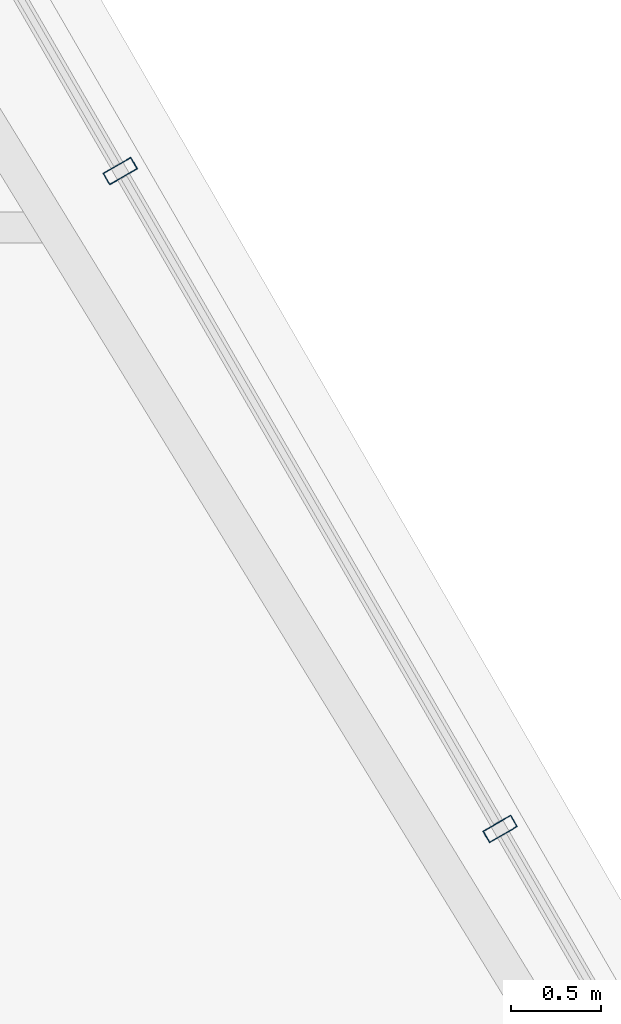
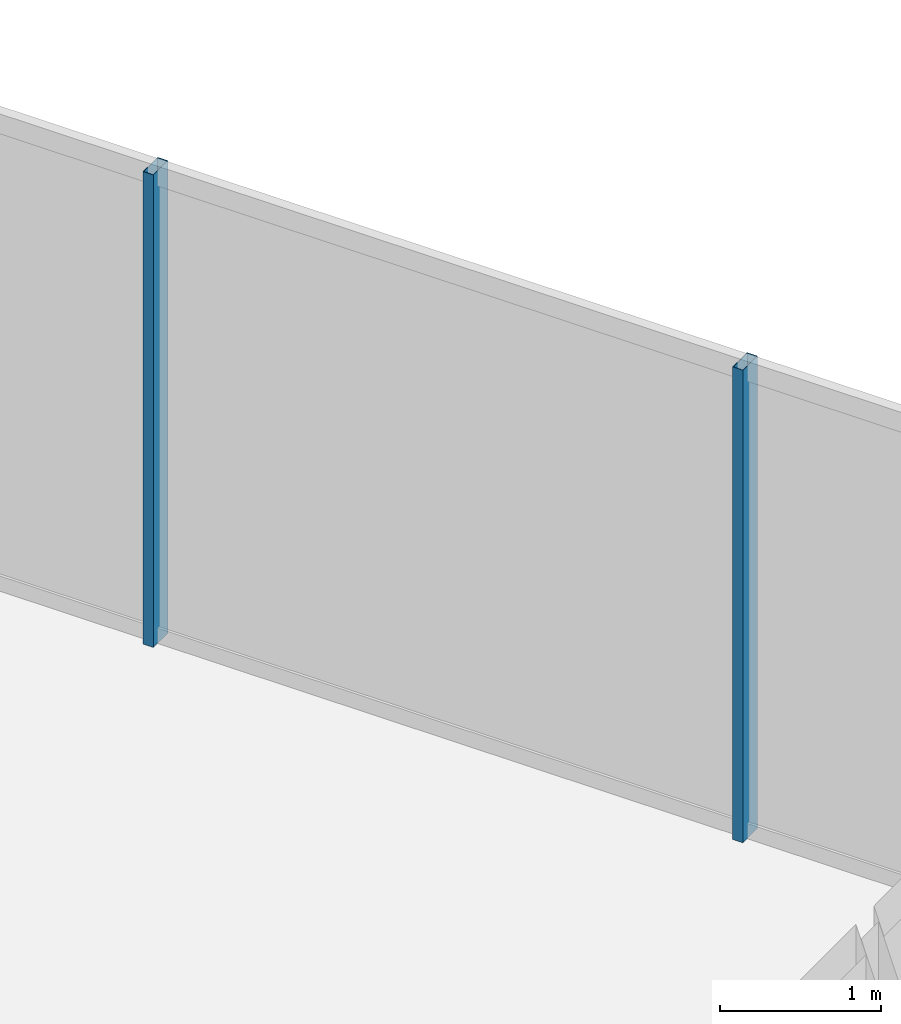
# One storey, part 19 of 33: 2 members, 1 element without a shape of its own.
"""IFC4 building model written with IfcOpenShell, lengths in metres."""

from ifc_helpers import new_model, si_unit, direction, frame, origin, origin_2d, place, context, subcontext, project, spatial, hollow_rectangle, extrude, material, layer, layer_set, material_profile, profile_set, type_object, element, aggregate, save


model = new_model("IFC4")

# Units and contexts
model_context = context("Model", 3, precision=1e-05, world=origin(), true_north=direction((0.0, 1.0)))
body_context = subcontext(model_context, "Body", "Model", "MODEL_VIEW")
ifc_project = project(units=[si_unit("LENGTHUNIT", "METRE"), si_unit("AREAUNIT", "SQUARE_METRE"), si_unit("VOLUMEUNIT", "CUBIC_METRE"), si_unit("PLANEANGLEUNIT", "RADIAN"), si_unit("MASSUNIT", "GRAM", prefix="KILO")], contexts=[model_context])

# Site, building, storey
site_placement = place(None, origin())
site = spatial("IfcSite", under=ifc_project, at=site_placement, CompositionType="ELEMENT")
building_placement = place(site_placement, origin())
building = spatial("IfcBuilding", under=site, at=building_placement, Name="Ndaravel Arena Tower", CompositionType="ELEMENT")
storey_placement = place(building_placement, frame((0.0, 0.0, 184.0)))
storey = spatial("IfcBuildingStorey", under=building, at=storey_placement, Name="L44", CompositionType="ELEMENT", Elevation=184.0)

# Curtain wall, members
ifc_material_1 = material(Name="Aluminium", Category="aluminium")
ifc_layer = layer(ifc_material_1, 0.179931640625)
ifc_layer_set = layer_set([ifc_layer], Name="Aluminium")
curtain_wall_type = type_object("IfcCurtainWallType", Name="CW-SYS-03", PredefinedType="NOTDEFINED", material=ifc_layer_set)
curtain_wall_placement = place(storey_placement, origin())
curtain_wall = element("IfcCurtainWall", 1, at=curtain_wall_placement, inside=storey, type_object=curtain_wall_type, Name="L44 Faceted Crystal Curtain Wall CW-L44-E03", PredefinedType="NOTDEFINED")
ifc_material_2 = material(Name="Aluminium", Category="aluminium")
ifc_material_profile = material_profile(ifc_material_2, hollow_rectangle(XDim=0.074951171875, YDim=0.179931640625, WallThickness=0.00390625, at=origin_2d()), Name="CW MULLION 75x180x4")
ifc_profile_set = profile_set([ifc_material_profile], Name="Aluminium")
member_type = type_object("IfcMemberType", Name="MEM-CW-MUL180", PredefinedType="MULLION", material=ifc_profile_set)
member_1_placement = place(storey_placement, frame((55.1845703125, 31.655517578125, 0.0), z_axis=(0.0, 0.0, 1.0), x_axis=(-0.5, 0.866025403784, 0.0)))
member_1 = element("IfcMember", 2, at=member_1_placement, type_object=member_type, Name="CW-L44-E03 Mullion 05", PredefinedType="MULLION", context=body_context, shape_type="SweptSolid", body=[
    extrude(hollow_rectangle(XDim=0.074951171875, YDim=0.179931640625, WallThickness=0.00390625, at=origin_2d()), origin(), (0.0, 0.0, 1.0), 3.580078125),
])
member_2_placement = place(storey_placement, frame((53.072021484375, 35.31494140625, 0.0), z_axis=(0.0, 0.0, 1.0), x_axis=(-0.5, 0.866025403784, 0.0)))
member_2 = element("IfcMember", 3, at=member_2_placement, type_object=member_type, Name="CW-L44-E03 Mullion 06", PredefinedType="MULLION", context=body_context, shape_type="SweptSolid", body=[
    extrude(hollow_rectangle(XDim=0.074951171875, YDim=0.179931640625, WallThickness=0.00390625, at=origin_2d()), origin(), (0.0, 0.0, 1.0), 3.580078125),
])
aggregate(curtain_wall, [member_1, member_2])

save(model, "model.ifc")
